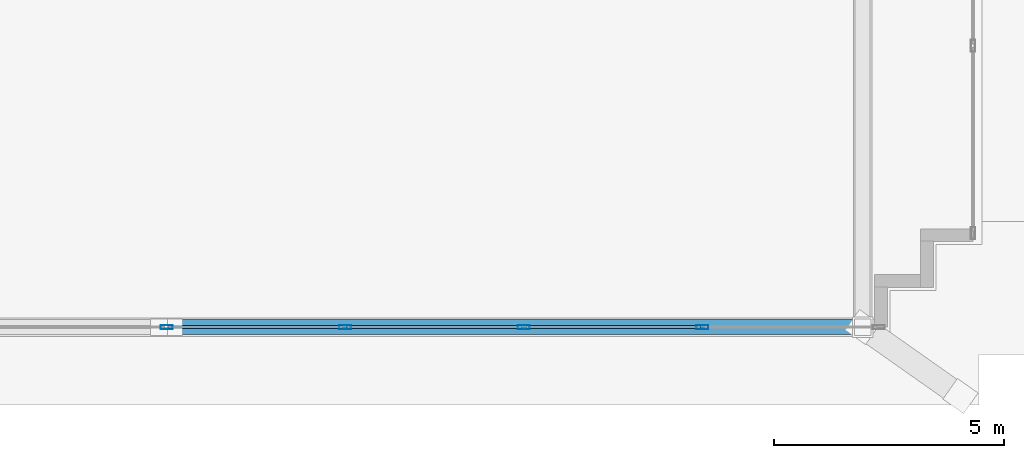
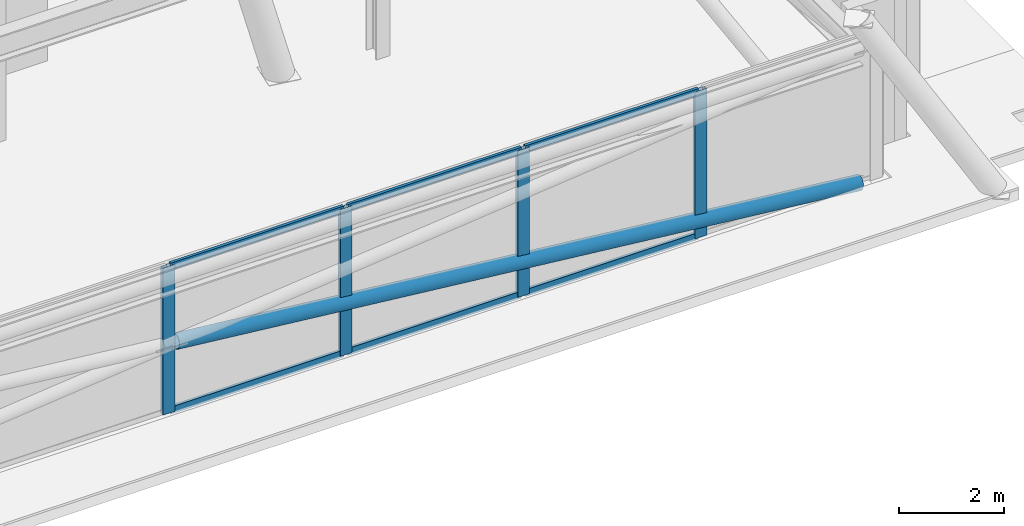
# One storey, part 6 of 18: 11 members, 1 element without a shape of its own.
"""IFC4 building model written with IfcOpenShell, lengths in metres."""

from ifc_helpers import new_model, si_unit, direction, frame, origin, origin_2d, place, context, subcontext, project, spatial, hollow_rectangle, hollow_circle, extrude, material, layer, layer_set, material_profile, profile_set, type_object, element, aggregate, save


model = new_model("IFC4")

# Units and contexts
model_context = context("Model", 3, precision=1e-05, world=origin(), true_north=direction((0.0, 1.0)))
body_context = subcontext(model_context, "Body", "Model", "MODEL_VIEW")
ifc_project = project(units=[si_unit("LENGTHUNIT", "METRE"), si_unit("AREAUNIT", "SQUARE_METRE"), si_unit("VOLUMEUNIT", "CUBIC_METRE"), si_unit("PLANEANGLEUNIT", "RADIAN"), si_unit("MASSUNIT", "GRAM", prefix="KILO")], contexts=[model_context])

# Site, building, storey
site_placement = place(None, origin())
site = spatial("IfcSite", under=ifc_project, at=site_placement, CompositionType="ELEMENT")
building_placement = place(site_placement, origin())
building = spatial("IfcBuilding", under=site, at=building_placement, Name="Qobustan Lattice House", CompositionType="ELEMENT")
storey_placement = place(building_placement, frame((0.0, 0.0, 277.800048828125)))
storey = spatial("IfcBuildingStorey", under=building, at=storey_placement, Name="L78", CompositionType="ELEMENT", Elevation=277.800048828125)

# Curtain wall, members
ifc_material_1 = material(Name="Anodised aluminium and low-E glazing", Category="aluminium")
ifc_layer = layer(ifc_material_1, 0.219970703125)
ifc_layer_set = layer_set([ifc_layer], Name="Anodised aluminium and low-E glazing")
curtain_wall_type = type_object("IfcCurtainWallType", Name="CW-CRN-01", PredefinedType="USERDEFINED", material=ifc_layer_set)
curtain_wall_placement = place(storey_placement, origin())
curtain_wall = element("IfcCurtainWall", 1, at=curtain_wall_placement, inside=storey, type_object=curtain_wall_type, Name="L78 glass-point crown faceted curtain wall 20", ObjectType="CURTAIN WALL", PredefinedType="USERDEFINED")
ifc_material_2 = material(Name="Anodised aluminium EN AW-6063 T6", Category="aluminium")
ifc_material_profile_1 = material_profile(ifc_material_2, hollow_rectangle(XDim=0.090087890625, YDim=0.260009765625, WallThickness=0.006103515625, at=origin_2d()), Name="CWM-CROWN-260x90")
ifc_profile_set_1 = profile_set([ifc_material_profile_1], Name="Anodised aluminium EN AW-6063 T6")
member_type_1 = type_object("IfcMemberType", Name="CWM-CRN-260", PredefinedType="MULLION", material=ifc_profile_set_1)
member_1_placement = place(storey_placement, frame((11.4599609375, -13.903564453125, 0.0), z_axis=(0.0, 0.0, 1.0), x_axis=(0.0, -1.0, 0.0)))
member_1 = element("IfcMember", 2, at=member_1_placement, type_object=member_type_1, Name="CW-CR mullion 2", PredefinedType="MULLION", context=body_context, shape_type="SweptSolid", body=[
    extrude(hollow_rectangle(XDim=0.090087890625, YDim=0.260009765625, WallThickness=0.006103515625, at=origin_2d()), origin(), (0.0, 0.0, 1.0), 3.39990234375),
])
member_2_placement = place(storey_placement, frame((7.5732421875, -13.903564453125, 0.0), z_axis=(0.0, 0.0, 1.0), x_axis=(0.0, -1.0, 0.0)))
member_2 = element("IfcMember", 3, at=member_2_placement, type_object=member_type_1, Name="CW-CR mullion 3", PredefinedType="MULLION", context=body_context, shape_type="SweptSolid", body=[
    extrude(hollow_rectangle(XDim=0.090087890625, YDim=0.260009765625, WallThickness=0.006103515625, at=origin_2d()), origin(), (0.0, 0.0, 1.0), 3.39990234375),
])
member_3_placement = place(storey_placement, frame((3.6865234375, -13.903564453125, 0.0), z_axis=(0.0, 0.0, 1.0), x_axis=(0.0, -1.0, 0.0)))
member_3 = element("IfcMember", 4, at=member_3_placement, type_object=member_type_1, Name="CW-CR mullion 4", PredefinedType="MULLION", context=body_context, shape_type="SweptSolid", body=[
    extrude(hollow_rectangle(XDim=0.090087890625, YDim=0.260009765625, WallThickness=0.006103515625, at=origin_2d()), origin(), (0.0, 0.0, 1.0), 3.39990234375),
])
member_4_placement = place(storey_placement, frame((-0.199951171875, -13.903564453125, 0.0), z_axis=(0.0, 0.0, 1.0), x_axis=(0.0, -1.0, 0.0)))
member_4 = element("IfcMember", 5, at=member_4_placement, type_object=member_type_1, Name="CW-CR mullion 5", PredefinedType="MULLION", context=body_context, shape_type="SweptSolid", body=[
    extrude(hollow_rectangle(XDim=0.090087890625, YDim=0.260009765625, WallThickness=0.006103515625, at=origin_2d()), origin(), (0.0, 0.0, 1.0), 3.39990234375),
])
ifc_material_3 = material(Name="Anodised aluminium EN AW-6063 T6", Category="aluminium")
ifc_material_profile_2 = material_profile(ifc_material_3, hollow_rectangle(XDim=0.06494140625, YDim=0.159912109375, WallThickness=0.00390625, at=origin_2d()), Name="CWT-160x65")
ifc_profile_set_2 = profile_set([ifc_material_profile_2], Name="Anodised aluminium EN AW-6063 T6")
member_type_2 = type_object("IfcMemberType", Name="CWT-HOR-160", PredefinedType="USERDEFINED", material=ifc_profile_set_2)
member_5_placement = place(storey_placement, frame((11.414794921875, -13.903564453125, 0.032470703125), z_axis=(-1.0, 0.0, 0.0), x_axis=(0.0, -1.0, 0.0)))
member_5 = element("IfcMember", 6, at=member_5_placement, type_object=member_type_2, Name="CW-CR transom 2.1", ObjectType="TRANSOM", PredefinedType="USERDEFINED", context=body_context, shape_type="SweptSolid", body=[
    extrude(hollow_rectangle(XDim=0.06494140625, YDim=0.159912109375, WallThickness=0.00390625, at=origin_2d()), origin(), (0.0, 0.0, 1.0), 3.796630859375),
])
member_6_placement = place(storey_placement, frame((11.414794921875, -13.903564453125, 3.367431640625), z_axis=(-1.0, 0.0, 0.0), x_axis=(0.0, -1.0, 0.0)))
member_6 = element("IfcMember", 7, at=member_6_placement, type_object=member_type_2, Name="CW-CR transom 2.2", ObjectType="TRANSOM", PredefinedType="USERDEFINED", context=body_context, shape_type="SweptSolid", body=[
    extrude(hollow_rectangle(XDim=0.06494140625, YDim=0.159912109375, WallThickness=0.00390625, at=origin_2d()), origin(), (0.0, 0.0, 1.0), 3.796630859375),
])
member_7_placement = place(storey_placement, frame((7.5283203125, -13.903564453125, 0.032470703125), z_axis=(-1.0, 0.0, 0.0), x_axis=(0.0, -1.0, 0.0)))
member_7 = element("IfcMember", 8, at=member_7_placement, type_object=member_type_2, Name="CW-CR transom 3.1", ObjectType="TRANSOM", PredefinedType="USERDEFINED", context=body_context, shape_type="SweptSolid", body=[
    extrude(hollow_rectangle(XDim=0.06494140625, YDim=0.159912109375, WallThickness=0.00390625, at=origin_2d()), origin(), (0.0, 0.0, 1.0), 3.796630859375),
])
member_8_placement = place(storey_placement, frame((7.5283203125, -13.903564453125, 3.367431640625), z_axis=(-1.0, 0.0, 0.0), x_axis=(0.0, -1.0, 0.0)))
member_8 = element("IfcMember", 9, at=member_8_placement, type_object=member_type_2, Name="CW-CR transom 3.2", ObjectType="TRANSOM", PredefinedType="USERDEFINED", context=body_context, shape_type="SweptSolid", body=[
    extrude(hollow_rectangle(XDim=0.06494140625, YDim=0.159912109375, WallThickness=0.00390625, at=origin_2d()), origin(), (0.0, 0.0, 1.0), 3.796630859375),
])
member_9_placement = place(storey_placement, frame((3.6416015625, -13.903564453125, 0.032470703125), z_axis=(-1.0, 0.0, 0.0), x_axis=(0.0, -1.0, 0.0)))
member_9 = element("IfcMember", 10, at=member_9_placement, type_object=member_type_2, Name="CW-CR transom 4.1", ObjectType="TRANSOM", PredefinedType="USERDEFINED", context=body_context, shape_type="SweptSolid", body=[
    extrude(hollow_rectangle(XDim=0.06494140625, YDim=0.159912109375, WallThickness=0.00390625, at=origin_2d()), origin(), (0.0, 0.0, 1.0), 3.796630859375),
])
member_10_placement = place(storey_placement, frame((3.6416015625, -13.903564453125, 3.367431640625), z_axis=(-1.0, 0.0, 0.0), x_axis=(0.0, -1.0, 0.0)))
member_10 = element("IfcMember", 11, at=member_10_placement, type_object=member_type_2, Name="CW-CR transom 4.2", ObjectType="TRANSOM", PredefinedType="USERDEFINED", context=body_context, shape_type="SweptSolid", body=[
    extrude(hollow_rectangle(XDim=0.06494140625, YDim=0.159912109375, WallThickness=0.00390625, at=origin_2d()), origin(), (0.0, 0.0, 1.0), 3.796630859375),
])
aggregate(curtain_wall, [member_1, member_2, member_3, member_4, member_5, member_6, member_7, member_8, member_9, member_10])

# Member
ifc_material_4 = material(Name="Steel S355", Category="steel")
ifc_material_profile_3 = material_profile(ifc_material_4, hollow_circle(Radius=0.161865234375, WallThickness=0.012451171875, at=origin_2d()), Name="CHS323.9x12.5")
ifc_profile_set_3 = profile_set([ifc_material_profile_3], Name="Steel S355")
member_type_3 = type_object("IfcMemberType", Name="MEM-CBR-CHS324", PredefinedType="BRACE", material=ifc_profile_set_3)
member_11_placement = place(storey_placement, frame((14.946533203125, -13.903564453125, 0.014892578125), z_axis=(-0.994587042936, 0.0, 0.103906756393), x_axis=(0.0, -1.0, 0.0)))
element("IfcMember", 12, at=member_11_placement, inside=storey, type_object=member_type_3, Name="L78 crown diagrid split brace 1B lower", PredefinedType="BRACE", context=body_context, shape_type="SweptSolid", body=[
    extrude(hollow_circle(Radius=0.161865234375, WallThickness=0.012451171875, at=origin_2d()), origin(), (0.0, 0.0, 1.0), 15.06103515625),
])

save(model, "model.ifc")
